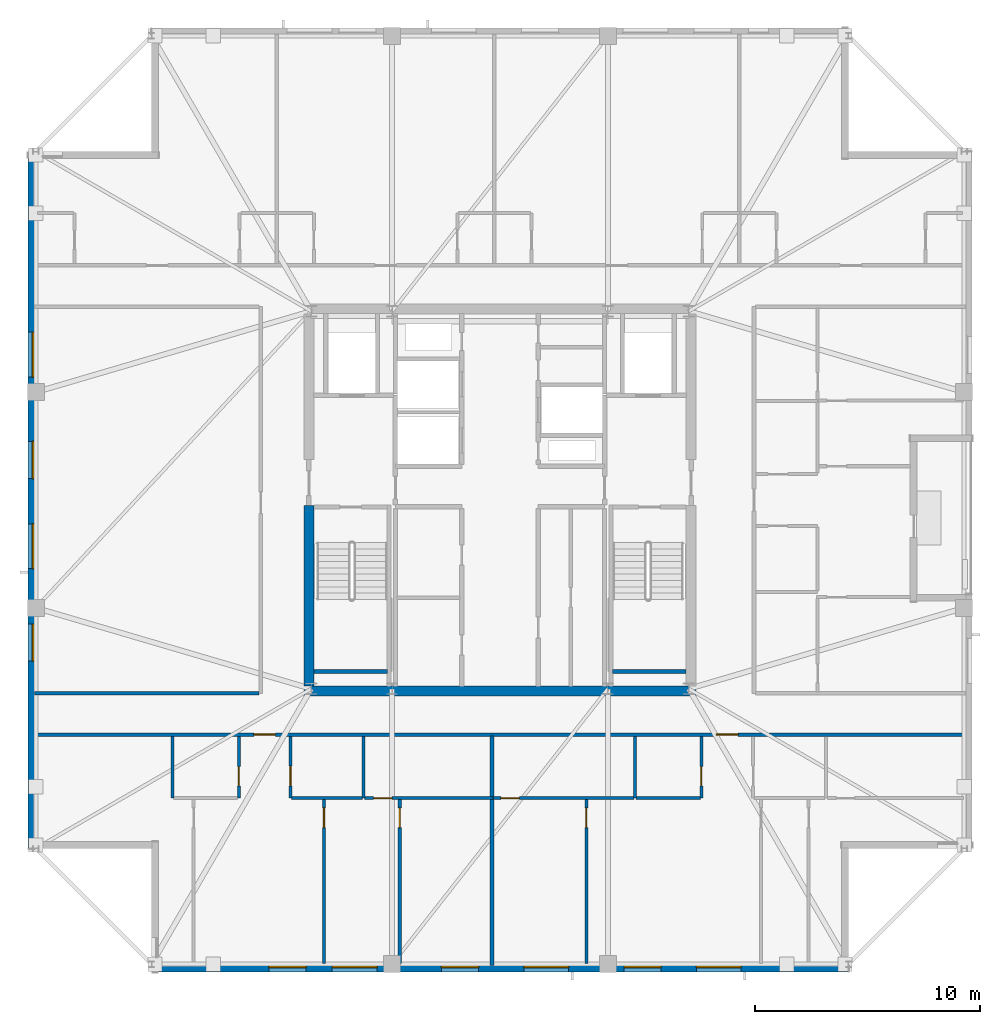
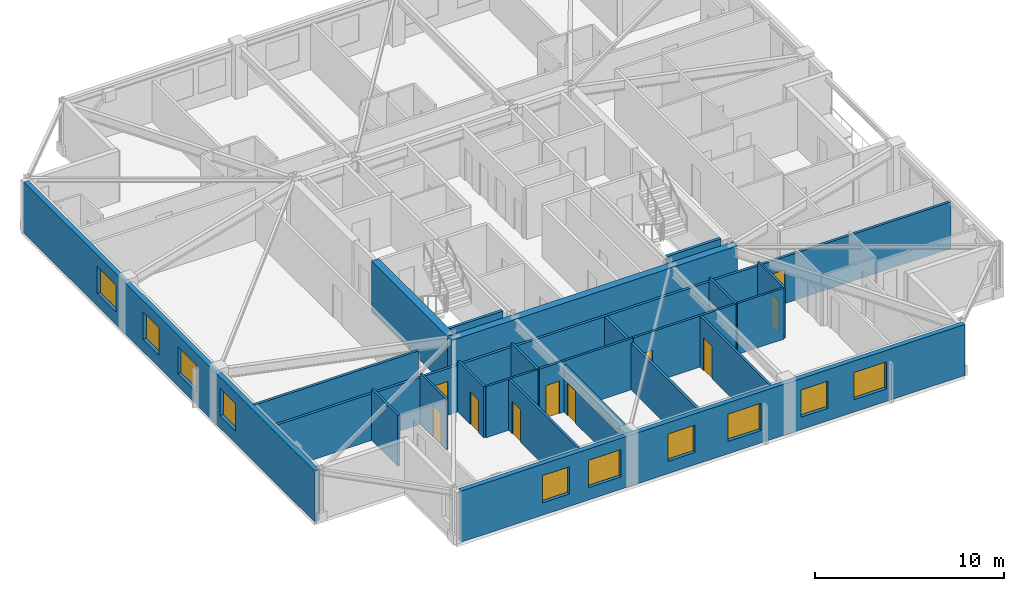
# One storey, part 7 of 14: 22 walls, 10 doors, 10 windows, 20 openings.
"""IFC4 building model written with IfcOpenShell, lengths in metres."""

from ifc_helpers import new_model, si_unit, direction, frame, frame_2d, origin, place, context, subcontext, project, spatial, rectangle, extrude, material, layer, layer_set, type_object, element, fill, save


model = new_model("IFC4")

# Units and contexts
model_context = context("Model", 3, precision=1e-05, world=origin(), true_north=direction((0.0, 1.0)))
body_context = subcontext(model_context, "Body", "Model", "MODEL_VIEW")
ifc_project = project(units=[si_unit("LENGTHUNIT", "METRE"), si_unit("AREAUNIT", "SQUARE_METRE"), si_unit("VOLUMEUNIT", "CUBIC_METRE"), si_unit("PLANEANGLEUNIT", "RADIAN"), si_unit("MASSUNIT", "GRAM", prefix="KILO")], contexts=[model_context])

# Site, building, storey
site_placement = place(None, origin())
site = spatial("IfcSite", under=ifc_project, at=site_placement, CompositionType="ELEMENT")
building_placement = place(site_placement, origin())
building = spatial("IfcBuilding", under=site, at=building_placement, Name="Cairnveth Concourse Tower", CompositionType="ELEMENT")
storey_placement = place(building_placement, frame((0.0, 0.0, 301.5)))
storey = spatial("IfcBuildingStorey", under=building, at=storey_placement, Name="L83", CompositionType="ELEMENT", Elevation=301.5)

# Wall, openings, doors
ifc_material_1 = material(Name="Gypsum Plasterboard Partition", Category="gypsum")
ifc_layer_1 = layer(ifc_material_1, 0.159912109375)
ifc_layer_set_1 = layer_set([ifc_layer_1], Name="Gypsum Plasterboard Partition")
wall_type_1 = type_object("IfcWallType", Name="ACOUSTIC PARTY WALL 180", PredefinedType="PARTITIONING", material=ifc_layer_set_1)
wall_1_placement = place(storey_placement, frame((31.284912109375, 28.56494140625, 0.0), z_axis=(0.0, 0.0, 1.0), x_axis=(1.0, 0.0, 0.0)))
wall_1 = element("IfcWall", 1, at=wall_1_placement, inside=storey, type_object=wall_type_1, Name="Interior Wall IW-L83-036", PredefinedType="PARTITIONING", context=body_context, shape_type="SweptSolid", body=[
    extrude(rectangle(XDim=41.43017578125, YDim=0.159912109375, at=frame_2d((20.715087890625, 0.0))), origin(), (0.0, 0.0, 1.0), 3.009033203125),
])
opening_1_placement = place(wall_1_placement, frame((9.76611328125, 0.0, 0.0)))
opening_1 = element("IfcOpeningElement", 2, at=opening_1_placement, cuts=wall_1, Name="Opening ID10", PredefinedType="OPENING", context=body_context, shape_type="SweptSolid", body=[
    extrude(rectangle(XDim=0.9599609375, YDim=2.179931640625, at=frame_2d((0.47998046875, 1.08984375))), frame((0.0, 0.08984375, 0.0), z_axis=(0.0, -1.0, 0.0), x_axis=(1.0, 0.0, 0.0)), (0.0, 0.0, 1.0), 0.179931640625),
])
opening_2_placement = place(wall_1_placement, frame((30.34619140625, 0.0, 0.0)))
opening_2 = element("IfcOpeningElement", 3, at=opening_2_placement, cuts=wall_1, Name="Opening ID10", PredefinedType="OPENING", context=body_context, shape_type="SweptSolid", body=[
    extrude(rectangle(XDim=0.9599609375, YDim=2.179931640625, at=frame_2d((0.47998046875, 1.08984375))), frame((0.0, 0.08984375, 0.0), z_axis=(0.0, -1.0, 0.0), x_axis=(1.0, 0.0, 0.0)), (0.0, 0.0, 1.0), 0.179931640625),
])
ifc_material_2 = material(Name="Solid Core Hardwood Timber Leaf", Category="wood")
door_type_1 = type_object("IfcDoorType", Name="FLAT ENTRANCE DOOR 960X2150", OperationType="NOTDEFINED", PredefinedType="DOOR", material=ifc_material_2)
door_1_placement = place(opening_1_placement, origin())
door_1 = element("IfcDoor", 4, at=door_1_placement, inside=storey, type_object=door_type_1, Name="Penthouse L83PS1 Entrance Door", OperationType="SINGLE_SWING_RIGHT", OverallHeight=2.179931640625, OverallWidth=0.9599609375, PredefinedType="DOOR", context=body_context, shape_type="SweptSolid", body=[
    extrude(rectangle(XDim=0.9599609375, YDim=2.179931640625, at=frame_2d((0.47998046875, 1.08984375))), frame((0.0, 0.02490234375, 0.0), z_axis=(0.0, -1.0, 0.0), x_axis=(1.0, 0.0, 0.0)), (0.0, 0.0, 1.0), 0.050048828125),
])
fill(opening_1, door_1)
door_2_placement = place(opening_2_placement, origin())
door_2 = element("IfcDoor", 5, at=door_2_placement, inside=storey, type_object=door_type_1, Name="Penthouse L83PS2 Entrance Door", OperationType="SINGLE_SWING_RIGHT", OverallHeight=2.179931640625, OverallWidth=0.9599609375, PredefinedType="DOOR", context=body_context, shape_type="SweptSolid", body=[
    extrude(rectangle(XDim=0.9599609375, YDim=2.179931640625, at=frame_2d((0.47998046875, 1.08984375))), frame((0.0, 0.02490234375, 0.0), z_axis=(0.0, -1.0, 0.0), x_axis=(1.0, 0.0, 0.0)), (0.0, 0.0, 1.0), 0.050048828125),
])
fill(opening_2, door_2)

# Walls
wall_2_placement = place(storey_placement, frame((31.284912109375, 30.39990234375, 0.0), z_axis=(0.0, 0.0, 1.0), x_axis=(1.0, 0.0, 0.0)))
element("IfcWall", 6, at=wall_2_placement, inside=storey, type_object=wall_type_1, Name="Interior Wall IW-L83-040", PredefinedType="PARTITIONING", context=body_context, shape_type="SweptSolid", body=[
    extrude(rectangle(XDim=10.0, YDim=0.159912109375, at=frame_2d((5.0, 0.0))), origin(), (0.0, 0.0, 1.0), 3.2900390625),
])
wall_3_placement = place(storey_placement, frame((51.642578125, 18.284912109375, 0.0), z_axis=(0.0, 0.0, 1.0), x_axis=(0.0, 1.0, 0.0)))
element("IfcWall", 7, at=wall_3_placement, inside=storey, type_object=wall_type_1, Name="Interior Wall IW-L83-054", PredefinedType="PARTITIONING", context=body_context, shape_type="SweptSolid", body=[
    extrude(rectangle(XDim=10.215087890625, YDim=0.159912109375, at=frame_2d((5.107421875, 0.0))), origin(), (0.0, 0.0, 1.0), 3.009033203125),
])
ifc_material_3 = material(Name="Concrete N65 (65 MPa)", Category="concrete")
ifc_layer_2 = layer(ifc_material_3, 0.449951171875)
ifc_layer_set_2 = layer_set([ifc_layer_2], Name="Concrete N65 (65 MPa)")
wall_type_2 = type_object("IfcWallType", Name="CORE SHEAR WALL 450", PredefinedType="SHEAR", material=ifc_layer_set_2)
wall_4_placement = place(storey_placement, frame((43.27490234375, 30.5, 0.0), z_axis=(0.0, 0.0, 1.0), x_axis=(1.0, 0.0, 0.0)))
element("IfcWall", 8, at=wall_4_placement, inside=storey, type_object=wall_type_2, Name="Core South Shear Wall L83", PredefinedType="SHEAR", context=body_context, shape_type="SweptSolid", body=[
    extrude(rectangle(XDim=17.4501953125, YDim=0.449951171875, at=frame_2d((8.72509765625, 0.0))), origin(), (0.0, 0.0, 1.0), 3.2900390625),
])
wall_5_placement = place(storey_placement, frame((43.5, 30.715087890625, 0.0), z_axis=(0.0, 0.0, 1.0), x_axis=(0.0, 1.0, 0.0)))
element("IfcWall", 9, at=wall_5_placement, inside=storey, type_object=wall_type_2, Name="Core West Shear Wall S L83", PredefinedType="SHEAR", context=body_context, shape_type="SweptSolid", body=[
    extrude(rectangle(XDim=8.034912109375, YDim=0.449951171875, at=frame_2d((4.017578125, 0.0))), origin(), (0.0, 0.0, 1.0), 3.2900390625),
])
ifc_material_4 = material(Name="Concrete N50 (50 MPa)", Category="concrete")
ifc_layer_3 = layer(ifc_material_4, 0.179931640625)
ifc_layer_set_3 = layer_set([ifc_layer_3], Name="Concrete N50 (50 MPa)")
wall_type_3 = type_object("IfcWallType", Name="FIRE SHAFT WALL 180", PredefinedType="SOLIDWALL", material=ifc_layer_set_3)
for number, where, z_axis, x_axis, name in (
    (10, (43.715087890625, 31.360107421875, 0.0), (0.0, 0.0, 1.0), (1.0, 0.0, 0.0), "Stair ST-1 Shaft Wall FAR L83"),
    (11, (57.0048828125, 31.360107421875, 0.0), (0.0, 0.0, 1.0), (1.0, 0.0, 0.0), "Stair ST-2 Shaft Wall FAR L83"),
):
    element("IfcWall", number, at=place(storey_placement, frame(where, z_axis=z_axis, x_axis=x_axis)), inside=storey, type_object=wall_type_3, Name=name, PredefinedType="SOLIDWALL", context=body_context, shape_type="SweptSolid", body=[
        extrude(rectangle(XDim=3.280029296875, YDim=0.179931640625, at=frame_2d((1.64013671875, 0.0))), origin(), (0.0, 0.0, 1.0), 3.2900390625),
    ])

# Wall, opening, door
ifc_layer_4 = layer(ifc_material_1, 0.139892578125)
ifc_layer_set_4 = layer_set([ifc_layer_4], Name="Gypsum Plasterboard Partition")
wall_type_4 = type_object("IfcWallType", Name="GYPSUM STUD PARTITION 140", PredefinedType="PARTITIONING", material=ifc_layer_set_4)
wall_6_placement = place(storey_placement, frame((47.54248046875, 18.3798828125, 0.0), z_axis=(0.0, 0.0, 1.0), x_axis=(0.0, 1.0, 0.0)))
wall_6 = element("IfcWall", 12, at=wall_6_placement, inside=storey, type_object=wall_type_4, Name="Interior Wall IW-L83-051", PredefinedType="PARTITIONING", context=body_context, shape_type="SweptSolid", body=[
    extrude(rectangle(XDim=7.39501953125, YDim=0.139892578125, at=frame_2d((3.697509765625, 0.0))), origin(), (0.0, 0.0, 1.0), 3.009033203125),
])
opening_3_placement = place(wall_6_placement, frame((6.044921875, 0.0, 0.0)))
opening_3 = element("IfcOpeningElement", 13, at=opening_3_placement, cuts=wall_6, Name="Opening ID18", PredefinedType="OPENING", context=body_context, shape_type="SweptSolid", body=[
    extrude(rectangle(XDim=0.8798828125, YDim=2.10009765625, at=frame_2d((0.43994140625, 1.050048828125))), frame((0.0, 0.079833984375, 0.0), z_axis=(0.0, -1.0, 0.0), x_axis=(1.0, 0.0, 0.0)), (0.0, 0.0, 1.0), 0.159912109375),
])
door_type_2 = type_object("IfcDoorType", Name="INTERIOR SINGLE DOOR 880X2100", OperationType="NOTDEFINED", PredefinedType="DOOR", material=ifc_material_2)
door_3_placement = place(opening_3_placement, origin())
door_3 = element("IfcDoor", 14, at=door_3_placement, inside=storey, type_object=door_type_2, Name="L83PS1 Bedroom 2 Door", OperationType="SINGLE_SWING_RIGHT", OverallHeight=2.10009765625, OverallWidth=0.8798828125, PredefinedType="DOOR", context=body_context, shape_type="SweptSolid", body=[
    extrude(rectangle(XDim=0.8798828125, YDim=2.10009765625, at=frame_2d((0.43994140625, 1.050048828125))), frame((0.0, 0.02490234375, 0.0), z_axis=(0.0, -1.0, 0.0), x_axis=(1.0, 0.0, 0.0)), (0.0, 0.0, 1.0), 0.050048828125),
])
fill(opening_3, door_3)

wall_7_placement = place(storey_placement, frame((45.981201171875, 25.735107421875, 0.0), z_axis=(0.0, 0.0, 1.0), x_axis=(1.0, 0.0, 0.0)))
wall_7 = element("IfcWall", 15, at=wall_7_placement, inside=storey, type_object=wall_type_4, Name="Interior Wall IW-L83-052", PredefinedType="PARTITIONING", context=body_context, shape_type="SweptSolid", body=[
    extrude(rectangle(XDim=5.711181640625, YDim=0.139892578125, at=frame_2d((2.85546875, 0.0))), origin(), (0.0, 0.0, 1.0), 3.2900390625),
])
opening_4_placement = place(wall_7_placement, frame((0.39990234375, 0.0, 0.0)))
opening_4 = element("IfcOpeningElement", 16, at=opening_4_placement, cuts=wall_7, Name="Opening ID22", PredefinedType="OPENING", context=body_context, shape_type="SweptSolid", body=[
    extrude(rectangle(XDim=0.820068359375, YDim=2.10009765625, at=frame_2d((0.41015625, 1.050048828125))), frame((0.0, 0.079833984375, 0.0), z_axis=(0.0, -1.0, 0.0), x_axis=(1.0, 0.0, 0.0)), (0.0, 0.0, 1.0), 0.159912109375),
])
door_type_3 = type_object("IfcDoorType", Name="INTERIOR WC DOOR 820X2100", OperationType="NOTDEFINED", PredefinedType="DOOR", material=ifc_material_2)
door_4_placement = place(opening_4_placement, origin())
door_4 = element("IfcDoor", 17, at=door_4_placement, inside=storey, type_object=door_type_3, Name="L83PS1 Utility Door", OperationType="SINGLE_SWING_LEFT", OverallHeight=2.10009765625, OverallWidth=0.820068359375, PredefinedType="DOOR", context=body_context, shape_type="SweptSolid", body=[
    extrude(rectangle(XDim=0.820068359375, YDim=2.10009765625, at=frame_2d((0.41015625, 1.050048828125))), frame((0.0, 0.02490234375, 0.0), z_axis=(0.0, -1.0, 0.0), x_axis=(1.0, 0.0, 0.0)), (0.0, 0.0, 1.0), 0.050048828125),
])
fill(opening_4, door_4)

wall_8_placement = place(storey_placement, frame((44.169921875, 18.3798828125, 0.0), z_axis=(0.0, 0.0, 1.0), x_axis=(0.0, 1.0, 0.0)))
wall_8 = element("IfcWall", 18, at=wall_8_placement, inside=storey, type_object=wall_type_4, Name="Interior Wall IW-L83-053", PredefinedType="PARTITIONING", context=body_context, shape_type="SweptSolid", body=[
    extrude(rectangle(XDim=7.30517578125, YDim=0.139892578125, at=frame_2d((3.652587890625, 0.0))), origin(), (0.0, 0.0, 1.0), 3.2900390625),
])
opening_5_placement = place(wall_8_placement, frame((6.044921875, 0.0, 0.0)))
opening_5 = element("IfcOpeningElement", 19, at=opening_5_placement, cuts=wall_8, Name="Opening ID18", PredefinedType="OPENING", context=body_context, shape_type="SweptSolid", body=[
    extrude(rectangle(XDim=0.8798828125, YDim=2.10009765625, at=frame_2d((0.43994140625, 1.050048828125))), frame((0.0, 0.079833984375, 0.0), z_axis=(0.0, -1.0, 0.0), x_axis=(1.0, 0.0, 0.0)), (0.0, 0.0, 1.0), 0.159912109375),
])
door_5_placement = place(opening_5_placement, origin())
door_5 = element("IfcDoor", 20, at=door_5_placement, inside=storey, type_object=door_type_2, Name="L83PS1 Media Lounge Door", OperationType="SINGLE_SWING_LEFT", OverallHeight=2.10009765625, OverallWidth=0.8798828125, PredefinedType="DOOR", context=body_context, shape_type="SweptSolid", body=[
    extrude(rectangle(XDim=0.8798828125, YDim=2.10009765625, at=frame_2d((0.43994140625, 1.050048828125))), frame((0.0, 0.02490234375, 0.0), z_axis=(0.0, -1.0, 0.0), x_axis=(1.0, 0.0, 0.0)), (0.0, 0.0, 1.0), 0.050048828125),
])
fill(opening_5, door_5)

wall_9_placement = place(storey_placement, frame((55.842529296875, 18.3798828125, 0.0), z_axis=(0.0, 0.0, 1.0), x_axis=(0.0, 1.0, 0.0)))
wall_9 = element("IfcWall", 21, at=wall_9_placement, inside=storey, type_object=wall_type_4, Name="Interior Wall IW-L83-061", PredefinedType="PARTITIONING", context=body_context, shape_type="SweptSolid", body=[
    extrude(rectangle(XDim=7.39501953125, YDim=0.139892578125, at=frame_2d((3.697509765625, 0.0))), origin(), (0.0, 0.0, 1.0), 3.2900390625),
])
opening_6_placement = place(wall_9_placement, frame((6.044921875, 0.0, 0.0)))
opening_6 = element("IfcOpeningElement", 22, at=opening_6_placement, cuts=wall_9, Name="Opening ID18", PredefinedType="OPENING", context=body_context, shape_type="SweptSolid", body=[
    extrude(rectangle(XDim=0.8798828125, YDim=2.10009765625, at=frame_2d((0.43994140625, 1.050048828125))), frame((0.0, 0.079833984375, 0.0), z_axis=(0.0, -1.0, 0.0), x_axis=(1.0, 0.0, 0.0)), (0.0, 0.0, 1.0), 0.159912109375),
])
door_6_placement = place(opening_6_placement, origin())
door_6 = element("IfcDoor", 23, at=door_6_placement, inside=storey, type_object=door_type_2, Name="L83PS2 Master Bedroom Door", OperationType="SINGLE_SWING_RIGHT", OverallHeight=2.10009765625, OverallWidth=0.8798828125, PredefinedType="DOOR", context=body_context, shape_type="SweptSolid", body=[
    extrude(rectangle(XDim=0.8798828125, YDim=2.10009765625, at=frame_2d((0.43994140625, 1.050048828125))), frame((0.0, 0.02490234375, 0.0), z_axis=(0.0, -1.0, 0.0), x_axis=(1.0, 0.0, 0.0)), (0.0, 0.0, 1.0), 0.050048828125),
])
fill(opening_6, door_6)

wall_10_placement = place(storey_placement, frame((51.70751953125, 25.735107421875, 0.0), z_axis=(0.0, 0.0, 1.0), x_axis=(1.0, 0.0, 0.0)))
wall_10 = element("IfcWall", 24, at=wall_10_placement, inside=storey, type_object=wall_type_4, Name="Interior Wall IW-L83-062", PredefinedType="PARTITIONING", context=body_context, shape_type="SweptSolid", body=[
    extrude(rectangle(XDim=6.253662109375, YDim=0.139892578125, at=frame_2d((3.126953125, 0.0))), origin(), (0.0, 0.0, 1.0), 3.2900390625),
])
opening_7_placement = place(wall_10_placement, frame((0.3349609375, 0.0, 0.0)))
opening_7 = element("IfcOpeningElement", 25, at=opening_7_placement, cuts=wall_10, Name="Opening ID22", PredefinedType="OPENING", context=body_context, shape_type="SweptSolid", body=[
    extrude(rectangle(XDim=0.820068359375, YDim=2.10009765625, at=frame_2d((0.41015625, 1.050048828125))), frame((0.0, 0.079833984375, 0.0), z_axis=(0.0, -1.0, 0.0), x_axis=(1.0, 0.0, 0.0)), (0.0, 0.0, 1.0), 0.159912109375),
])
door_7_placement = place(opening_7_placement, origin())
door_7 = element("IfcDoor", 26, at=door_7_placement, inside=storey, type_object=door_type_3, Name="L83PS2 Dressing Door", OperationType="SINGLE_SWING_LEFT", OverallHeight=2.10009765625, OverallWidth=0.820068359375, PredefinedType="DOOR", context=body_context, shape_type="SweptSolid", body=[
    extrude(rectangle(XDim=0.820068359375, YDim=2.10009765625, at=frame_2d((0.41015625, 1.050048828125))), frame((0.0, 0.02490234375, 0.0), z_axis=(0.0, -1.0, 0.0), x_axis=(1.0, 0.0, 0.0)), (0.0, 0.0, 1.0), 0.050048828125),
])
fill(opening_7, door_7)

# Wall
ifc_layer_5 = layer(ifc_material_1, 0.1298828125)
ifc_layer_set_5 = layer_set([ifc_layer_5], Name="Gypsum Plasterboard Partition")
wall_type_5 = type_object("IfcWallType", Name="WET AREA PARTITION 140", PredefinedType="PLUMBINGWALL", material=ifc_layer_set_5)
wall_11_placement = place(storey_placement, frame((37.431396484375, 25.735107421875, 0.0), z_axis=(0.0, 0.0, 1.0), x_axis=(0.0, 1.0, 0.0)))
element("IfcWall", 27, at=wall_11_placement, inside=storey, type_object=wall_type_5, Name="Interior Wall IW-L83-044", PredefinedType="PLUMBINGWALL", context=body_context, shape_type="SweptSolid", body=[
    extrude(rectangle(XDim=2.75, YDim=0.1298828125, at=frame_2d((1.375, 0.0))), origin(), (0.0, 0.0, 1.0), 3.2900390625),
])

# Wall, opening, door
wall_12_placement = place(storey_placement, frame((40.38134765625, 25.735107421875, 0.0), z_axis=(0.0, 0.0, 1.0), x_axis=(0.0, 1.0, 0.0)))
wall_12 = element("IfcWall", 28, at=wall_12_placement, inside=storey, type_object=wall_type_5, Name="Interior Wall IW-L83-045", PredefinedType="PLUMBINGWALL", context=body_context, shape_type="SweptSolid", body=[
    extrude(rectangle(XDim=2.75, YDim=0.1298828125, at=frame_2d((1.375, 0.0))), origin(), (0.0, 0.0, 1.0), 3.2900390625),
])
opening_8_placement = place(wall_12_placement, frame((0.550048828125, 0.0, 0.0)))
opening_8 = element("IfcOpeningElement", 29, at=opening_8_placement, cuts=wall_12, Name="Opening ID21", PredefinedType="OPENING", context=body_context, shape_type="SweptSolid", body=[
    extrude(rectangle(XDim=0.85009765625, YDim=2.080078125, at=frame_2d((0.425048828125, 1.0400390625))), frame((0.0, 0.074951171875, 0.0), z_axis=(0.0, -1.0, 0.0), x_axis=(1.0, 0.0, 0.0)), (0.0, 0.0, 1.0), 0.14990234375),
])
door_type_4 = type_object("IfcDoorType", Name="INTERIOR WC DOOR 850X2100", OperationType="NOTDEFINED", PredefinedType="DOOR", material=ifc_material_2)
door_8_placement = place(opening_8_placement, origin())
door_8 = element("IfcDoor", 30, at=door_8_placement, inside=storey, type_object=door_type_4, Name="L83PS1 Bathroom Door", OperationType="SINGLE_SWING_RIGHT", OverallHeight=2.080078125, OverallWidth=0.85009765625, PredefinedType="DOOR", context=body_context, shape_type="SweptSolid", body=[
    extrude(rectangle(XDim=0.85009765625, YDim=2.080078125, at=frame_2d((0.425048828125, 1.0400390625))), frame((0.0, 0.02490234375, 0.0), z_axis=(0.0, -1.0, 0.0), x_axis=(1.0, 0.0, 0.0)), (0.0, 0.0, 1.0), 0.050048828125),
])
fill(opening_8, door_8)

# Wall
wall_13_placement = place(storey_placement, frame((45.93115234375, 25.735107421875, 0.0), z_axis=(0.0, 0.0, 1.0), x_axis=(0.0, 1.0, 0.0)))
element("IfcWall", 31, at=wall_13_placement, inside=storey, type_object=wall_type_5, Name="Interior Wall IW-L83-047", PredefinedType="PLUMBINGWALL", context=body_context, shape_type="SweptSolid", body=[
    extrude(rectangle(XDim=2.75, YDim=0.1298828125, at=frame_2d((1.375, 0.0))), origin(), (0.0, 0.0, 1.0), 3.2900390625),
])

# Wall, opening, door
wall_14_placement = place(storey_placement, frame((42.68115234375, 25.735107421875, 0.0), z_axis=(0.0, 0.0, 1.0), x_axis=(0.0, 1.0, 0.0)))
wall_14 = element("IfcWall", 32, at=wall_14_placement, inside=storey, type_object=wall_type_5, Name="Interior Wall IW-L83-048", PredefinedType="PLUMBINGWALL", context=body_context, shape_type="SweptSolid", body=[
    extrude(rectangle(XDim=2.75, YDim=0.1298828125, at=frame_2d((1.375, 0.0))), origin(), (0.0, 0.0, 1.0), 3.2900390625),
])
opening_9_placement = place(wall_14_placement, frame((0.550048828125, 0.0, 0.0)))
opening_9 = element("IfcOpeningElement", 33, at=opening_9_placement, cuts=wall_14, Name="Opening ID18", PredefinedType="OPENING", context=body_context, shape_type="SweptSolid", body=[
    extrude(rectangle(XDim=0.8798828125, YDim=2.10009765625, at=frame_2d((0.43994140625, 1.050048828125))), frame((0.0, 0.074951171875, 0.0), z_axis=(0.0, -1.0, 0.0), x_axis=(1.0, 0.0, 0.0)), (0.0, 0.0, 1.0), 0.14990234375),
])
door_9_placement = place(opening_9_placement, origin())
door_9 = element("IfcDoor", 34, at=door_9_placement, inside=storey, type_object=door_type_2, Name="L83PS1 Kitchen Door", OperationType="SINGLE_SWING_LEFT", OverallHeight=2.10009765625, OverallWidth=0.8798828125, PredefinedType="DOOR", context=body_context, shape_type="SweptSolid", body=[
    extrude(rectangle(XDim=0.8798828125, YDim=2.10009765625, at=frame_2d((0.43994140625, 1.050048828125))), frame((0.0, 0.02490234375, 0.0), z_axis=(0.0, -1.0, 0.0), x_axis=(1.0, 0.0, 0.0)), (0.0, 0.0, 1.0), 0.050048828125),
])
fill(opening_9, door_9)

# Walls
wall_15_placement = place(storey_placement, frame((42.731201171875, 25.735107421875, 0.0), z_axis=(0.0, 0.0, 1.0), x_axis=(1.0, 0.0, 0.0)))
element("IfcWall", 35, at=wall_15_placement, inside=storey, type_object=wall_type_5, Name="Interior Wall IW-L83-049", PredefinedType="PLUMBINGWALL", context=body_context, shape_type="SweptSolid", body=[
    extrude(rectangle(XDim=3.14990234375, YDim=0.1298828125, at=frame_2d((1.574951171875, 0.0))), origin(), (0.0, 0.0, 1.0), 3.2900390625),
])
wall_16_placement = place(storey_placement, frame((58.01123046875, 25.735107421875, 0.0), z_axis=(0.0, 0.0, 1.0), x_axis=(0.0, 1.0, 0.0)))
element("IfcWall", 36, at=wall_16_placement, inside=storey, type_object=wall_type_5, Name="Interior Wall IW-L83-055", PredefinedType="PLUMBINGWALL", context=body_context, shape_type="SweptSolid", body=[
    extrude(rectangle(XDim=2.75, YDim=0.1298828125, at=frame_2d((1.375, 0.0))), origin(), (0.0, 0.0, 1.0), 3.2900390625),
])

# Wall, opening, door
wall_17_placement = place(storey_placement, frame((60.961181640625, 25.735107421875, 0.0), z_axis=(0.0, 0.0, 1.0), x_axis=(0.0, 1.0, 0.0)))
wall_17 = element("IfcWall", 37, at=wall_17_placement, inside=storey, type_object=wall_type_5, Name="Interior Wall IW-L83-056", PredefinedType="PLUMBINGWALL", context=body_context, shape_type="SweptSolid", body=[
    extrude(rectangle(XDim=2.75, YDim=0.1298828125, at=frame_2d((1.375, 0.0))), origin(), (0.0, 0.0, 1.0), 3.2900390625),
])
opening_10_placement = place(wall_17_placement, frame((0.550048828125, 0.0, 0.0)))
opening_10 = element("IfcOpeningElement", 38, at=opening_10_placement, cuts=wall_17, Name="Opening ID21", PredefinedType="OPENING", context=body_context, shape_type="SweptSolid", body=[
    extrude(rectangle(XDim=0.85009765625, YDim=2.080078125, at=frame_2d((0.425048828125, 1.0400390625))), frame((0.0, 0.074951171875, 0.0), z_axis=(0.0, -1.0, 0.0), x_axis=(1.0, 0.0, 0.0)), (0.0, 0.0, 1.0), 0.14990234375),
])
door_10_placement = place(opening_10_placement, origin())
door_10 = element("IfcDoor", 39, at=door_10_placement, inside=storey, type_object=door_type_4, Name="L83PS2 Bathroom Door", OperationType="SINGLE_SWING_LEFT", OverallHeight=2.080078125, OverallWidth=0.85009765625, PredefinedType="DOOR", context=body_context, shape_type="SweptSolid", body=[
    extrude(rectangle(XDim=0.85009765625, YDim=2.080078125, at=frame_2d((0.425048828125, 1.0400390625))), frame((0.0, 0.02490234375, 0.0), z_axis=(0.0, -1.0, 0.0), x_axis=(1.0, 0.0, 0.0)), (0.0, 0.0, 1.0), 0.050048828125),
])
fill(opening_10, door_10)

# Wall
wall_18_placement = place(storey_placement, frame((58.061279296875, 25.735107421875, 0.0), z_axis=(0.0, 0.0, 1.0), x_axis=(1.0, 0.0, 0.0)))
element("IfcWall", 40, at=wall_18_placement, inside=storey, type_object=wall_type_5, Name="Interior Wall IW-L83-057", PredefinedType="PLUMBINGWALL", context=body_context, shape_type="SweptSolid", body=[
    extrude(rectangle(XDim=2.849853515625, YDim=0.1298828125, at=frame_2d((1.4248046875, 0.0))), origin(), (0.0, 0.0, 1.0), 3.2900390625),
])

# Wall, openings, windows
ifc_material_5 = material(Name="Hawthorn Red-Ochre Fired Clay Brick Masonry", Category="masonry")
ifc_layer_6 = layer(ifc_material_5, 0.300048828125)
ifc_layer_set_6 = layer_set([ifc_layer_6], Name="Hawthorn Red-Ochre Fired Clay Brick Masonry")
wall_type_6 = type_object("IfcWallType", Name="ZONE 4 BRICK PIER SPANDREL WALL 300", PredefinedType="SOLIDWALL", material=ifc_layer_set_6)
wall_19_placement = place(storey_placement, frame((67.5, 18.14990234375, 0.0), z_axis=(0.0, 0.0, 1.0), x_axis=(-1.0, 0.0, 0.0)))
wall_19 = element("IfcWall", 41, at=wall_19_placement, inside=storey, type_object=wall_type_6, Name="Exterior Wall EW-L83-S03", PredefinedType="SOLIDWALL", context=body_context, shape_type="SweptSolid", body=[
    extrude(rectangle(XDim=30.721923828125, YDim=0.300048828125, at=frame_2d((15.36083984375, 0.0))), origin(), (0.0, 0.0, 1.0), 3.2900390625),
])
opening_11_placement = place(wall_19_placement, frame((4.7685546875, 0.0, 0.800048828125)))
opening_11 = element("IfcOpeningElement", 42, at=opening_11_placement, cuts=wall_19, Name="Opening W09", PredefinedType="OPENING", context=body_context, shape_type="SweptSolid", body=[
    extrude(rectangle(XDim=2.0, YDim=1.758056640625, at=frame_2d((1.0, 0.87890625))), frame((0.0, 0.159912109375, 0.0), z_axis=(0.0, -1.0, 0.0), x_axis=(1.0, 0.0, 0.0)), (0.0, 0.0, 1.0), 0.320068359375),
])
opening_12_placement = place(wall_19_placement, frame((8.33056640625, 0.0, 0.800048828125)))
opening_12 = element("IfcOpeningElement", 43, at=opening_12_placement, cuts=wall_19, Name="Opening W04", PredefinedType="OPENING", context=body_context, shape_type="SweptSolid", body=[
    extrude(rectangle(XDim=1.64990234375, YDim=1.758056640625, at=frame_2d((0.824951171875, 0.87890625))), frame((0.0, 0.159912109375, 0.0), z_axis=(0.0, -1.0, 0.0), x_axis=(1.0, 0.0, 0.0)), (0.0, 0.0, 1.0), 0.320068359375),
])
opening_13_placement = place(wall_19_placement, frame((12.4423828125, 0.0, 0.800048828125)))
opening_13 = element("IfcOpeningElement", 44, at=opening_13_placement, cuts=wall_19, Name="Opening W09", PredefinedType="OPENING", context=body_context, shape_type="SweptSolid", body=[
    extrude(rectangle(XDim=2.0, YDim=1.758056640625, at=frame_2d((1.0, 0.87890625))), frame((0.0, 0.159912109375, 0.0), z_axis=(0.0, -1.0, 0.0), x_axis=(1.0, 0.0, 0.0)), (0.0, 0.0, 1.0), 0.320068359375),
])
opening_14_placement = place(wall_19_placement, frame((16.45458984375, 0.0, 0.800048828125)))
opening_14 = element("IfcOpeningElement", 45, at=opening_14_placement, cuts=wall_19, Name="Opening W04", PredefinedType="OPENING", context=body_context, shape_type="SweptSolid", body=[
    extrude(rectangle(XDim=1.64990234375, YDim=1.758056640625, at=frame_2d((0.824951171875, 0.87890625))), frame((0.0, 0.159912109375, 0.0), z_axis=(0.0, -1.0, 0.0), x_axis=(1.0, 0.0, 0.0)), (0.0, 0.0, 1.0), 0.320068359375),
])
opening_15_placement = place(wall_19_placement, frame((20.966552734375, 0.0, 0.800048828125)))
opening_15 = element("IfcOpeningElement", 46, at=opening_15_placement, cuts=wall_19, Name="Opening W09", PredefinedType="OPENING", context=body_context, shape_type="SweptSolid", body=[
    extrude(rectangle(XDim=2.0, YDim=1.758056640625, at=frame_2d((1.0, 0.87890625))), frame((0.0, 0.159912109375, 0.0), z_axis=(0.0, -1.0, 0.0), x_axis=(1.0, 0.0, 0.0)), (0.0, 0.0, 1.0), 0.320068359375),
])
opening_16_placement = place(wall_19_placement, frame((24.12841796875, 0.0, 0.800048828125)))
opening_16 = element("IfcOpeningElement", 47, at=opening_16_placement, cuts=wall_19, Name="Opening W04", PredefinedType="OPENING", context=body_context, shape_type="SweptSolid", body=[
    extrude(rectangle(XDim=1.64990234375, YDim=1.758056640625, at=frame_2d((0.824951171875, 0.87890625))), frame((0.0, 0.159912109375, 0.0), z_axis=(0.0, -1.0, 0.0), x_axis=(1.0, 0.0, 0.0)), (0.0, 0.0, 1.0), 0.320068359375),
])
ifc_material_6 = material(Name="Double Glazed Low-E Clear Glass", Category="glass")
window_type_1 = type_object("IfcWindowType", Name="DEEP-SET GOTHIC LANCET WINDOW 1650X1850", PartitioningType="DOUBLE_PANEL_VERTICAL", PredefinedType="WINDOW", material=ifc_material_6)
window_1_placement = place(opening_12_placement, origin())
window_1 = element("IfcWindow", 48, at=window_1_placement, inside=storey, type_object=window_type_1, Name="Gothic Lancet Window L83-3-2", OverallHeight=1.758056640625, OverallWidth=1.64990234375, PartitioningType="SINGLE_PANEL", PredefinedType="WINDOW", context=body_context, shape_type="SweptSolid", body=[
    extrude(rectangle(XDim=1.64990234375, YDim=1.758056640625, at=frame_2d((0.824951171875, 0.87890625))), frame((0.0, -0.050048828125, 0.0), z_axis=(0.0, -1.0, 0.0), x_axis=(1.0, 0.0, 0.0)), (0.0, 0.0, 1.0), 0.06005859375),
])
fill(opening_12, window_1)
window_2_placement = place(opening_14_placement, origin())
window_2 = element("IfcWindow", 49, at=window_2_placement, inside=storey, type_object=window_type_1, Name="Gothic Lancet Window L83-3-4", OverallHeight=1.758056640625, OverallWidth=1.64990234375, PartitioningType="SINGLE_PANEL", PredefinedType="WINDOW", context=body_context, shape_type="SweptSolid", body=[
    extrude(rectangle(XDim=1.64990234375, YDim=1.758056640625, at=frame_2d((0.824951171875, 0.87890625))), frame((0.0, -0.050048828125, 0.0), z_axis=(0.0, -1.0, 0.0), x_axis=(1.0, 0.0, 0.0)), (0.0, 0.0, 1.0), 0.06005859375),
])
fill(opening_14, window_2)
window_3_placement = place(opening_16_placement, origin())
window_3 = element("IfcWindow", 50, at=window_3_placement, inside=storey, type_object=window_type_1, Name="Gothic Lancet Window L83-3-6", OverallHeight=1.758056640625, OverallWidth=1.64990234375, PartitioningType="SINGLE_PANEL", PredefinedType="WINDOW", context=body_context, shape_type="SweptSolid", body=[
    extrude(rectangle(XDim=1.64990234375, YDim=1.758056640625, at=frame_2d((0.824951171875, 0.87890625))), frame((0.0, -0.050048828125, 0.0), z_axis=(0.0, -1.0, 0.0), x_axis=(1.0, 0.0, 0.0)), (0.0, 0.0, 1.0), 0.06005859375),
])
fill(opening_16, window_3)
window_type_2 = type_object("IfcWindowType", Name="DEEP-SET PENTHOUSE LANCET WINDOW 2000X1850", PartitioningType="DOUBLE_PANEL_VERTICAL", PredefinedType="WINDOW", material=ifc_material_6)
window_4_placement = place(opening_11_placement, origin())
window_4 = element("IfcWindow", 51, at=window_4_placement, inside=storey, type_object=window_type_2, Name="Gothic Lancet Window L83-3-1", OverallHeight=1.758056640625, OverallWidth=2.0, PartitioningType="SINGLE_PANEL", PredefinedType="WINDOW", context=body_context, shape_type="SweptSolid", body=[
    extrude(rectangle(XDim=2.0, YDim=1.758056640625, at=frame_2d((1.0, 0.87890625))), frame((0.0, -0.050048828125, 0.0), z_axis=(0.0, -1.0, 0.0), x_axis=(1.0, 0.0, 0.0)), (0.0, 0.0, 1.0), 0.06005859375),
])
fill(opening_11, window_4)
window_5_placement = place(opening_13_placement, origin())
window_5 = element("IfcWindow", 52, at=window_5_placement, inside=storey, type_object=window_type_2, Name="Gothic Lancet Window L83-3-3", OverallHeight=1.758056640625, OverallWidth=2.0, PartitioningType="SINGLE_PANEL", PredefinedType="WINDOW", context=body_context, shape_type="SweptSolid", body=[
    extrude(rectangle(XDim=2.0, YDim=1.758056640625, at=frame_2d((1.0, 0.87890625))), frame((0.0, -0.050048828125, 0.0), z_axis=(0.0, -1.0, 0.0), x_axis=(1.0, 0.0, 0.0)), (0.0, 0.0, 1.0), 0.06005859375),
])
fill(opening_13, window_5)
window_6_placement = place(opening_15_placement, origin())
window_6 = element("IfcWindow", 53, at=window_6_placement, inside=storey, type_object=window_type_2, Name="Gothic Lancet Window L83-3-5", OverallHeight=1.758056640625, OverallWidth=2.0, PartitioningType="SINGLE_PANEL", PredefinedType="WINDOW", context=body_context, shape_type="SweptSolid", body=[
    extrude(rectangle(XDim=2.0, YDim=1.758056640625, at=frame_2d((1.0, 0.87890625))), frame((0.0, -0.050048828125, 0.0), z_axis=(0.0, -1.0, 0.0), x_axis=(1.0, 0.0, 0.0)), (0.0, 0.0, 1.0), 0.06005859375),
])
fill(opening_15, window_6)

wall_20_placement = place(storey_placement, frame((31.14990234375, 23.5, 0.0), z_axis=(0.0, 0.0, 1.0), x_axis=(0.0, 1.0, 0.0)))
wall_20 = element("IfcWall", 54, at=wall_20_placement, inside=storey, type_object=wall_type_6, Name="Exterior Wall EW-L83-S06", PredefinedType="SOLIDWALL", context=body_context, shape_type="SweptSolid", body=[
    extrude(rectangle(XDim=30.721923828125, YDim=0.300048828125, at=frame_2d((15.36083984375, 0.0))), origin(), (0.0, 0.0, 1.0), 3.2900390625),
])
opening_17_placement = place(wall_20_placement, frame((8.33056640625, 0.0, 0.800048828125)))
opening_17 = element("IfcOpeningElement", 55, at=opening_17_placement, cuts=wall_20, Name="Opening W04", PredefinedType="OPENING", context=body_context, shape_type="SweptSolid", body=[
    extrude(rectangle(XDim=1.64990234375, YDim=1.758056640625, at=frame_2d((0.824951171875, 0.87890625))), frame((0.0, 0.159912109375, 0.0), z_axis=(0.0, -1.0, 0.0), x_axis=(1.0, 0.0, 0.0)), (0.0, 0.0, 1.0), 0.320068359375),
])
opening_18_placement = place(wall_20_placement, frame((12.4423828125, 0.0, 0.800048828125)))
opening_18 = element("IfcOpeningElement", 56, at=opening_18_placement, cuts=wall_20, Name="Opening W09", PredefinedType="OPENING", context=body_context, shape_type="SweptSolid", body=[
    extrude(rectangle(XDim=2.0, YDim=1.758056640625, at=frame_2d((1.0, 0.87890625))), frame((0.0, 0.159912109375, 0.0), z_axis=(0.0, -1.0, 0.0), x_axis=(1.0, 0.0, 0.0)), (0.0, 0.0, 1.0), 0.320068359375),
])
opening_19_placement = place(wall_20_placement, frame((16.45458984375, 0.0, 0.800048828125)))
opening_19 = element("IfcOpeningElement", 57, at=opening_19_placement, cuts=wall_20, Name="Opening W04", PredefinedType="OPENING", context=body_context, shape_type="SweptSolid", body=[
    extrude(rectangle(XDim=1.64990234375, YDim=1.758056640625, at=frame_2d((0.824951171875, 0.87890625))), frame((0.0, 0.159912109375, 0.0), z_axis=(0.0, -1.0, 0.0), x_axis=(1.0, 0.0, 0.0)), (0.0, 0.0, 1.0), 0.320068359375),
])
opening_20_placement = place(wall_20_placement, frame((20.966552734375, 0.0, 0.800048828125)))
opening_20 = element("IfcOpeningElement", 58, at=opening_20_placement, cuts=wall_20, Name="Opening W09", PredefinedType="OPENING", context=body_context, shape_type="SweptSolid", body=[
    extrude(rectangle(XDim=2.0, YDim=1.758056640625, at=frame_2d((1.0, 0.87890625))), frame((0.0, 0.159912109375, 0.0), z_axis=(0.0, -1.0, 0.0), x_axis=(1.0, 0.0, 0.0)), (0.0, 0.0, 1.0), 0.320068359375),
])
window_7_placement = place(opening_17_placement, origin())
window_7 = element("IfcWindow", 59, at=window_7_placement, inside=storey, type_object=window_type_1, Name="Gothic Lancet Window L83-6-2", OverallHeight=1.758056640625, OverallWidth=1.64990234375, PartitioningType="SINGLE_PANEL", PredefinedType="WINDOW", context=body_context, shape_type="SweptSolid", body=[
    extrude(rectangle(XDim=1.64990234375, YDim=1.758056640625, at=frame_2d((0.824951171875, 0.87890625))), frame((0.0, -0.050048828125, 0.0), z_axis=(0.0, -1.0, 0.0), x_axis=(1.0, 0.0, 0.0)), (0.0, 0.0, 1.0), 0.06005859375),
])
fill(opening_17, window_7)
window_8_placement = place(opening_19_placement, origin())
window_8 = element("IfcWindow", 60, at=window_8_placement, inside=storey, type_object=window_type_1, Name="Gothic Lancet Window L83-6-4", OverallHeight=1.758056640625, OverallWidth=1.64990234375, PartitioningType="SINGLE_PANEL", PredefinedType="WINDOW", context=body_context, shape_type="SweptSolid", body=[
    extrude(rectangle(XDim=1.64990234375, YDim=1.758056640625, at=frame_2d((0.824951171875, 0.87890625))), frame((0.0, -0.050048828125, 0.0), z_axis=(0.0, -1.0, 0.0), x_axis=(1.0, 0.0, 0.0)), (0.0, 0.0, 1.0), 0.06005859375),
])
fill(opening_19, window_8)
window_9_placement = place(opening_18_placement, origin())
window_9 = element("IfcWindow", 61, at=window_9_placement, inside=storey, type_object=window_type_2, Name="Gothic Lancet Window L83-6-3", OverallHeight=1.758056640625, OverallWidth=2.0, PartitioningType="SINGLE_PANEL", PredefinedType="WINDOW", context=body_context, shape_type="SweptSolid", body=[
    extrude(rectangle(XDim=2.0, YDim=1.758056640625, at=frame_2d((1.0, 0.87890625))), frame((0.0, -0.050048828125, 0.0), z_axis=(0.0, -1.0, 0.0), x_axis=(1.0, 0.0, 0.0)), (0.0, 0.0, 1.0), 0.06005859375),
])
fill(opening_18, window_9)
window_10_placement = place(opening_20_placement, origin())
window_10 = element("IfcWindow", 62, at=window_10_placement, inside=storey, type_object=window_type_2, Name="Gothic Lancet Window L83-6-5", OverallHeight=1.758056640625, OverallWidth=2.0, PartitioningType="SINGLE_PANEL", PredefinedType="WINDOW", context=body_context, shape_type="SweptSolid", body=[
    extrude(rectangle(XDim=2.0, YDim=1.758056640625, at=frame_2d((1.0, 0.87890625))), frame((0.0, -0.050048828125, 0.0), z_axis=(0.0, -1.0, 0.0), x_axis=(1.0, 0.0, 0.0)), (0.0, 0.0, 1.0), 0.06005859375),
])
fill(opening_20, window_10)

save(model, "model.ifc")
